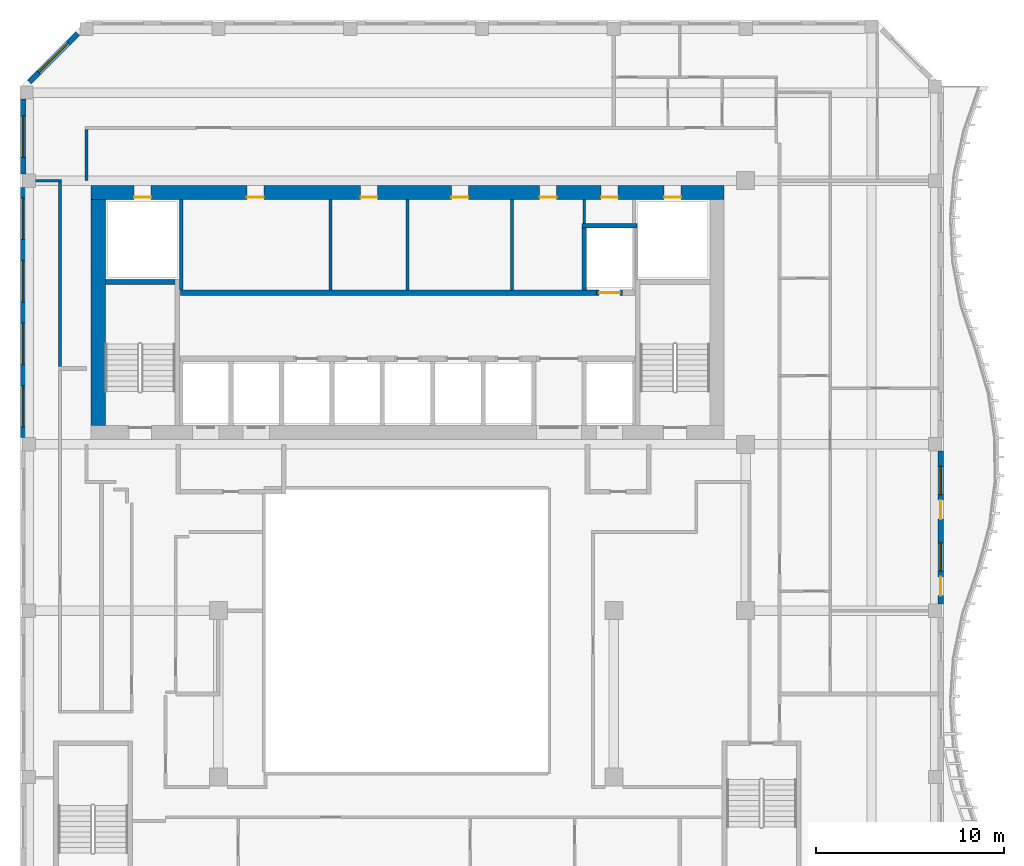
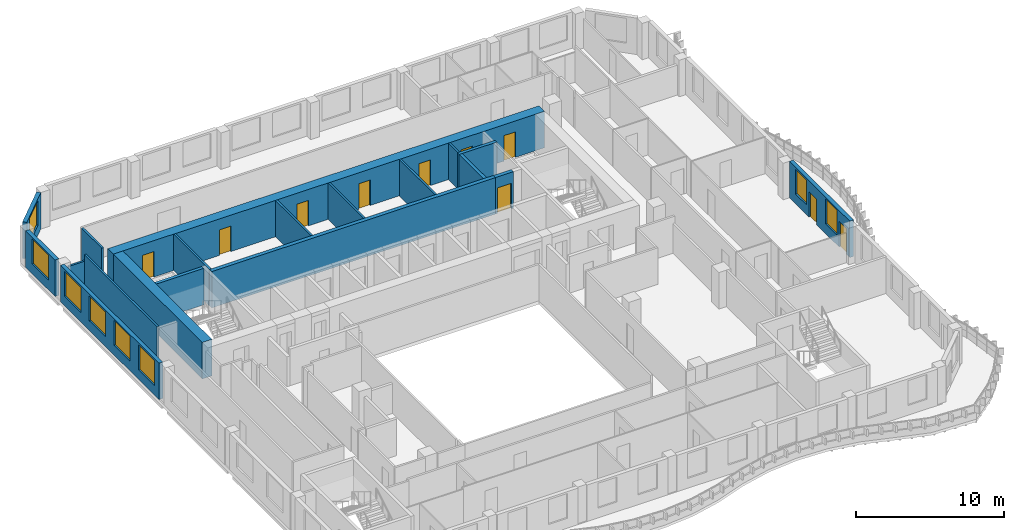
# One storey, part 6 of 13: 19 walls, 10 doors, 8 windows, 18 openings.
"""IFC4 building model written with IfcOpenShell, lengths in metres."""

from ifc_helpers import new_model, si_unit, direction, frame, frame_2d, origin, place, context, subcontext, project, spatial, rectangle, extrude, source, transform, mapped, material, layer, layer_set, type_object, element, fill, save


model = new_model("IFC4")

# Units and contexts
model_context = context("Model", 3, precision=1e-05, world=origin(), true_north=direction((0.0, 1.0)))
body_context = subcontext(model_context, "Body", "Model", "MODEL_VIEW")
ifc_project = project(units=[si_unit("LENGTHUNIT", "METRE"), si_unit("AREAUNIT", "SQUARE_METRE"), si_unit("VOLUMEUNIT", "CUBIC_METRE"), si_unit("PLANEANGLEUNIT", "RADIAN"), si_unit("MASSUNIT", "GRAM", prefix="KILO")], contexts=[model_context])

# Site, building, storey
site_placement = place(None, origin())
site = spatial("IfcSite", under=ifc_project, at=site_placement, CompositionType="ELEMENT")
building_placement = place(site_placement, origin())
building = spatial("IfcBuilding", under=site, at=building_placement, Name="Kilnfold Tower and Market Hall", CompositionType="ELEMENT")
storey_placement = place(building_placement, frame((0.0, 0.0, 259.39990234375)))
storey = spatial("IfcBuildingStorey", under=building, at=storey_placement, Name="L63", CompositionType="ELEMENT", Elevation=259.39990234375)

# Walls
ifc_material_1 = material(Name="Gypsum board on steel studs", Category="steel")
ifc_layer_1 = layer(ifc_material_1, 0.14990234375)
ifc_layer_set_1 = layer_set([ifc_layer_1], Name="Gypsum board on steel studs")
wall_type_1 = type_object("IfcWallType", Name="WALL CORRIDOR 150", PredefinedType="PARTITIONING", material=ifc_layer_set_1)
wall_1_placement = place(storey_placement, frame((-16.0, 22.0, 0.0), z_axis=(0.0, 0.0, 1.0), x_axis=(0.0, 1.0, 0.0)))
element("IfcWall", 1, at=wall_1_placement, inside=storey, type_object=wall_type_1, Name="Partition LY39.5", PredefinedType="PARTITIONING", context=body_context, shape_type="SweptSolid", body=[
    extrude(rectangle(XDim=2.72509765625, YDim=0.14990234375, at=frame_2d((1.362548828125, 0.0))), origin(), (0.0, 0.0, 1.0), 3.0),
])
wall_2_placement = place(storey_placement, frame((-17.324951171875, 22.0, 0.0), z_axis=(0.0, 0.0, 1.0), x_axis=(-1.0, 0.0, 0.0)))
element("IfcWall", 2, at=wall_2_placement, inside=storey, type_object=wall_type_1, Name="Partition LY39.7", PredefinedType="PARTITIONING", context=body_context, shape_type="SweptSolid", body=[
    extrude(rectangle(XDim=1.375, YDim=0.14990234375, at=frame_2d((0.6875, 0.0))), origin(), (0.0, 0.0, 1.0), 2.4501953125),
])
wall_3_placement = place(storey_placement, frame((-17.39990234375, 12.115966796875, 0.0), z_axis=(0.0, 0.0, 1.0), x_axis=(0.0, 1.0, 0.0)))
element("IfcWall", 3, at=wall_3_placement, inside=storey, type_object=wall_type_1, Name="Partition LY39.8", PredefinedType="PARTITIONING", context=body_context, shape_type="SweptSolid", body=[
    extrude(rectangle(XDim=9.80908203125, YDim=0.14990234375, at=frame_2d((4.904541015625, 0.0))), origin(), (0.0, 0.0, 1.0), 3.0),
])
ifc_material_2 = material(Name="Concrete C60", Category="concrete")
ifc_layer_2 = layer(ifc_material_2, 0.25)
ifc_layer_set_2 = layer_set([ifc_layer_2], Name="Concrete C60")
wall_type_2 = type_object("IfcWallType", Name="CORE WALL 250 C60", PredefinedType="SHEAR", material=ifc_layer_set_2)
shared_shape_1 = source(origin(), body_context, "Body", "SweptSolid", [
    extrude(rectangle(XDim=3.699951171875, YDim=0.25, at=frame_2d((1.85009765625, 0.0))), origin(), (0.0, 0.0, 1.0), 3.0),
])
wall_4_placement = place(storey_placement, frame((-15.0, 16.625, 0.0), z_axis=(0.0, 0.0, 1.0), x_axis=(1.0, 0.0, 0.0)))
element("IfcWall", 4, at=wall_4_placement, inside=storey, type_object=wall_type_2, Name="Stair enclosure ST1", PredefinedType="SHEAR", context=body_context, shape_type="MappedRepresentation", body=[
    mapped(shared_shape_1, transform((0.0, 0.0, 0.0))),
])

# Wall, openings, doors
ifc_material_3 = material(Name="Concrete C60", Category="concrete")
ifc_layer_3 = layer(ifc_material_3, 0.75)
ifc_layer_set_3 = layer_set([ifc_layer_3], Name="Concrete C60")
wall_type_3 = type_object("IfcWallType", Name="CORE WALL 750 C60", PredefinedType="SHEAR", material=ifc_layer_set_3)
shared_shape_2 = source(origin(), body_context, "Body", "SweptSolid", [
    extrude(rectangle(XDim=33.60009765625, YDim=0.75, at=frame_2d((16.800048828125, 0.0))), origin(), (0.0, 0.0, 1.0), 3.0),
])
wall_5_placement = place(storey_placement, frame((-15.75, 21.375, 0.0), z_axis=(0.0, 0.0, 1.0), x_axis=(1.0, 0.0, 0.0)))
wall_5 = element("IfcWall", 5, at=wall_5_placement, inside=storey, type_object=wall_type_3, Name="Core outer wall north", PredefinedType="SHEAR", context=body_context, shape_type="MappedRepresentation", body=[
    mapped(shared_shape_2, transform((0.0, 0.0, 0.0))),
])
opening_1_placement = place(wall_5_placement, frame((8.269775390625, 0.0, 0.0)))
opening_1 = element("IfcOpeningElement", 6, at=opening_1_placement, cuts=wall_5, Name="Opening KD1", PredefinedType="OPENING", context=body_context, shape_type="SweptSolid", body=[
    extrude(rectangle(XDim=0.89990234375, YDim=2.10009765625, at=frame_2d((0.449951171875, 1.050048828125))), frame((0.0, 0.385009765625, 0.0), z_axis=(0.0, -1.0, 0.0), x_axis=(1.0, 0.0, 0.0)), (0.0, 0.0, 1.0), 0.77001953125),
])
opening_2_placement = place(wall_5_placement, frame((14.2998046875, 0.0, 0.0)))
opening_2 = element("IfcOpeningElement", 7, at=opening_2_placement, cuts=wall_5, Name="Opening KD1", PredefinedType="OPENING", context=body_context, shape_type="SweptSolid", body=[
    extrude(rectangle(XDim=0.89990234375, YDim=2.10009765625, at=frame_2d((0.449951171875, 1.050048828125))), frame((0.0, 0.385009765625, 0.0), z_axis=(0.0, -1.0, 0.0), x_axis=(1.0, 0.0, 0.0)), (0.0, 0.0, 1.0), 0.77001953125),
])
opening_3_placement = place(wall_5_placement, frame((19.123779296875, 0.0, 0.0)))
opening_3 = element("IfcOpeningElement", 8, at=opening_3_placement, cuts=wall_5, Name="Opening KD1", PredefinedType="OPENING", context=body_context, shape_type="SweptSolid", body=[
    extrude(rectangle(XDim=0.89990234375, YDim=2.10009765625, at=frame_2d((0.449951171875, 1.050048828125))), frame((0.0, 0.385009765625, 0.0), z_axis=(0.0, -1.0, 0.0), x_axis=(1.0, 0.0, 0.0)), (0.0, 0.0, 1.0), 0.77001953125),
])
opening_4_placement = place(wall_5_placement, frame((23.813720703125, 0.0, 0.0)))
opening_4 = element("IfcOpeningElement", 9, at=opening_4_placement, cuts=wall_5, Name="Opening KD1", PredefinedType="OPENING", context=body_context, shape_type="SweptSolid", body=[
    extrude(rectangle(XDim=0.89990234375, YDim=2.10009765625, at=frame_2d((0.449951171875, 1.050048828125))), frame((0.0, 0.385009765625, 0.0), z_axis=(0.0, -1.0, 0.0), x_axis=(1.0, 0.0, 0.0)), (0.0, 0.0, 1.0), 0.77001953125),
])
opening_5_placement = place(wall_5_placement, frame((27.070068359375, 0.0, 0.0)))
opening_5 = element("IfcOpeningElement", 10, at=opening_5_placement, cuts=wall_5, Name="Opening KD1", PredefinedType="OPENING", context=body_context, shape_type="SweptSolid", body=[
    extrude(rectangle(XDim=0.89990234375, YDim=2.10009765625, at=frame_2d((0.449951171875, 1.050048828125))), frame((0.0, 0.385009765625, 0.0), z_axis=(0.0, -1.0, 0.0), x_axis=(1.0, 0.0, 0.0)), (0.0, 0.0, 1.0), 0.77001953125),
])
opening_6_placement = place(wall_5_placement, frame((2.27490234375, 0.0, 0.0)))
opening_6 = element("IfcOpeningElement", 11, at=opening_6_placement, cuts=wall_5, Name="Opening KD1", PredefinedType="OPENING", context=body_context, shape_type="SweptSolid", body=[
    extrude(rectangle(XDim=0.89990234375, YDim=2.10009765625, at=frame_2d((0.449951171875, 1.050048828125))), frame((0.0, 0.385009765625, 0.0), z_axis=(0.0, -1.0, 0.0), x_axis=(1.0, 0.0, 0.0)), (0.0, 0.0, 1.0), 0.77001953125),
])
opening_7_placement = place(wall_5_placement, frame((30.425048828125, 0.0, 0.0)))
opening_7 = element("IfcOpeningElement", 12, at=opening_7_placement, cuts=wall_5, Name="Opening KD1", PredefinedType="OPENING", context=body_context, shape_type="SweptSolid", body=[
    extrude(rectangle(XDim=0.89990234375, YDim=2.10009765625, at=frame_2d((0.449951171875, 1.050048828125))), frame((0.0, 0.385009765625, 0.0), z_axis=(0.0, -1.0, 0.0), x_axis=(1.0, 0.0, 0.0)), (0.0, 0.0, 1.0), 0.77001953125),
])
ifc_material_4 = material(Name="Steel door set with fire-resisting leaf", Category="steel")
door_type_1 = type_object("IfcDoorType", Name="SERVICE DOOR 900X2100", OperationType="NOTDEFINED", PredefinedType="DOOR", material=ifc_material_4)
door_1_placement = place(opening_1_placement, origin())
door_1 = element("IfcDoor", 13, at=door_1_placement, inside=storey, type_object=door_type_1, Name="Core service door", OperationType="SINGLE_SWING_RIGHT", OverallHeight=2.10009765625, OverallWidth=0.89990234375, PredefinedType="DOOR", context=body_context, shape_type="SweptSolid", body=[
    extrude(rectangle(XDim=0.89990234375, YDim=2.10009765625, at=frame_2d((0.449951171875, 1.050048828125))), frame((0.0, -0.22998046875, 0.0), z_axis=(0.0, -1.0, 0.0), x_axis=(1.0, 0.0, 0.0)), (0.0, 0.0, 1.0), 0.050048828125),
])
fill(opening_1, door_1)
door_2_placement = place(opening_2_placement, origin())
door_2 = element("IfcDoor", 14, at=door_2_placement, inside=storey, type_object=door_type_1, Name="Core service door", OperationType="SINGLE_SWING_LEFT", OverallHeight=2.10009765625, OverallWidth=0.89990234375, PredefinedType="DOOR", context=body_context, shape_type="SweptSolid", body=[
    extrude(rectangle(XDim=0.89990234375, YDim=2.10009765625, at=frame_2d((0.449951171875, 1.050048828125))), frame((0.0, -0.22998046875, 0.0), z_axis=(0.0, -1.0, 0.0), x_axis=(1.0, 0.0, 0.0)), (0.0, 0.0, 1.0), 0.050048828125),
])
fill(opening_2, door_2)
door_3_placement = place(opening_3_placement, origin())
door_3 = element("IfcDoor", 15, at=door_3_placement, inside=storey, type_object=door_type_1, Name="Core service door", OperationType="SINGLE_SWING_RIGHT", OverallHeight=2.10009765625, OverallWidth=0.89990234375, PredefinedType="DOOR", context=body_context, shape_type="SweptSolid", body=[
    extrude(rectangle(XDim=0.89990234375, YDim=2.10009765625, at=frame_2d((0.449951171875, 1.050048828125))), frame((0.0, -0.22998046875, 0.0), z_axis=(0.0, -1.0, 0.0), x_axis=(1.0, 0.0, 0.0)), (0.0, 0.0, 1.0), 0.050048828125),
])
fill(opening_3, door_3)
door_4_placement = place(opening_4_placement, origin())
door_4 = element("IfcDoor", 16, at=door_4_placement, inside=storey, type_object=door_type_1, Name="Core service door", OperationType="SINGLE_SWING_LEFT", OverallHeight=2.10009765625, OverallWidth=0.89990234375, PredefinedType="DOOR", context=body_context, shape_type="SweptSolid", body=[
    extrude(rectangle(XDim=0.89990234375, YDim=2.10009765625, at=frame_2d((0.449951171875, 1.050048828125))), frame((0.0, -0.22998046875, 0.0), z_axis=(0.0, -1.0, 0.0), x_axis=(1.0, 0.0, 0.0)), (0.0, 0.0, 1.0), 0.050048828125),
])
fill(opening_4, door_4)
door_5_placement = place(opening_5_placement, origin())
door_5 = element("IfcDoor", 17, at=door_5_placement, inside=storey, type_object=door_type_1, Name="Core service door", OperationType="SINGLE_SWING_RIGHT", OverallHeight=2.10009765625, OverallWidth=0.89990234375, PredefinedType="DOOR", context=body_context, shape_type="SweptSolid", body=[
    extrude(rectangle(XDim=0.89990234375, YDim=2.10009765625, at=frame_2d((0.449951171875, 1.050048828125))), frame((0.0, -0.22998046875, 0.0), z_axis=(0.0, -1.0, 0.0), x_axis=(1.0, 0.0, 0.0)), (0.0, 0.0, 1.0), 0.050048828125),
])
fill(opening_5, door_5)
door_6_placement = place(opening_6_placement, origin())
door_6 = element("IfcDoor", 18, at=door_6_placement, inside=storey, type_object=door_type_1, Name="Electrical riser access door", OperationType="SINGLE_SWING_LEFT", OverallHeight=2.10009765625, OverallWidth=0.89990234375, PredefinedType="DOOR", context=body_context, shape_type="SweptSolid", body=[
    extrude(rectangle(XDim=0.89990234375, YDim=2.10009765625, at=frame_2d((0.449951171875, 1.050048828125))), frame((0.0, -0.22998046875, 0.0), z_axis=(0.0, -1.0, 0.0), x_axis=(1.0, 0.0, 0.0)), (0.0, 0.0, 1.0), 0.050048828125),
])
fill(opening_6, door_6)
door_7_placement = place(opening_7_placement, origin())
door_7 = element("IfcDoor", 19, at=door_7_placement, inside=storey, type_object=door_type_1, Name="Mechanical riser access door", OperationType="SINGLE_SWING_RIGHT", OverallHeight=2.10009765625, OverallWidth=0.89990234375, PredefinedType="DOOR", context=body_context, shape_type="SweptSolid", body=[
    extrude(rectangle(XDim=0.89990234375, YDim=2.10009765625, at=frame_2d((0.449951171875, 1.050048828125))), frame((0.0, -0.22998046875, 0.0), z_axis=(0.0, -1.0, 0.0), x_axis=(1.0, 0.0, 0.0)), (0.0, 0.0, 1.0), 0.050048828125),
])
fill(opening_7, door_7)

# Walls
shared_shape_3 = source(origin(), body_context, "Body", "SweptSolid", [
    extrude(rectangle(XDim=12.0, YDim=0.75, at=frame_2d((6.0, 0.0))), origin(), (0.0, 0.0, 1.0), 3.0),
])
wall_6_placement = place(storey_placement, frame((-15.375, 9.0, 0.0), z_axis=(0.0, 0.0, 1.0), x_axis=(0.0, 1.0, 0.0)))
element("IfcWall", 20, at=wall_6_placement, inside=storey, type_object=wall_type_3, Name="Core outer wall west", PredefinedType="SHEAR", context=body_context, shape_type="MappedRepresentation", body=[
    mapped(shared_shape_3, transform((0.0, 0.0, 0.0))),
])
ifc_material_5 = material(Name="Concrete C60", Category="concrete")
ifc_layer_4 = layer(ifc_material_5, 0.300048828125)
ifc_layer_set_4 = layer_set([ifc_layer_4], Name="Concrete C60")
wall_type_4 = type_object("IfcWallType", Name="CORE WALL 300 C60", PredefinedType="SHEAR", material=ifc_layer_set_4)
shared_shape_4 = source(origin(), body_context, "Body", "SweptSolid", [
    extrude(rectangle(XDim=22.080078125, YDim=0.300048828125, at=frame_2d((11.0400390625, 0.0))), origin(), (0.0, 0.0, 1.0), 3.0),
])
wall_7_placement = place(storey_placement, frame((-11.010009765625, 16.050048828125, 0.0), z_axis=(0.0, 0.0, 1.0), x_axis=(1.0, 0.0, 0.0)))
element("IfcWall", 21, at=wall_7_placement, inside=storey, type_object=wall_type_4, Name="Core spine wall", PredefinedType="SHEAR", context=body_context, shape_type="MappedRepresentation", body=[
    mapped(shared_shape_4, transform((0.0, 0.0, 0.0))),
])

# Wall, opening, window
ifc_material_6 = material(Name="Precast concrete C50/60", Category="concrete")
ifc_layer_5 = layer(ifc_material_6, 0.300048828125)
ifc_layer_set_5 = layer_set([ifc_layer_5], Name="Precast concrete C50/60")
wall_type_5 = type_object("IfcWallType", Name="PRECAST WALL 300", PredefinedType="SOLIDWALL", material=ifc_layer_set_5)
shared_shape_5 = source(origin(), body_context, "Body", "SweptSolid", [
    extrude(rectangle(XDim=3.6416015625, YDim=0.300048828125, at=frame_2d((1.82080078125, 0.0))), origin(), (0.0, 0.0, 1.0), 3.0),
])
wall_8_placement = place(storey_placement, frame((-16.468994140625, 29.81884765625, 0.0), z_axis=(0.0, 0.0, 1.0), x_axis=(-0.707106781187, -0.707106781187, 0.0)))
wall_8 = element("IfcWall", 22, at=wall_8_placement, inside=storey, type_object=wall_type_5, Name="External wall L63 NW", PredefinedType="SOLIDWALL", context=body_context, shape_type="MappedRepresentation", body=[
    mapped(shared_shape_5, transform((0.0, 0.0, 0.0))),
])
opening_8_placement = place(wall_8_placement, frame((0.720703125, 0.0, 0.800048828125)))
opening_8 = element("IfcOpeningElement", 23, at=opening_8_placement, cuts=wall_8, Name="Opening W3", PredefinedType="OPENING", context=body_context, shape_type="SweptSolid", body=[
    extrude(rectangle(XDim=2.199951171875, YDim=2.050048828125, at=frame_2d((1.10009765625, 1.02490234375))), frame((0.0, 0.16015625, 0.0), z_axis=(0.0, -1.0, 0.0), x_axis=(1.0, 0.0, 0.0)), (0.0, 0.0, 1.0), 0.320068359375),
])
ifc_material_7 = material(Name="Aluminium frame and double glazing", Category="aluminium")
window_type_1 = type_object("IfcWindowType", Name="WINDOW W3 2200X2050", PartitioningType="SINGLE_PANEL", PredefinedType="WINDOW", material=ifc_material_7)
window_1_placement = place(opening_8_placement, origin())
window_1 = element("IfcWindow", 24, at=window_1_placement, inside=storey, type_object=window_type_1, Name="Window W3 L63 NW-1", OverallHeight=2.050048828125, OverallWidth=2.199951171875, PartitioningType="SINGLE_PANEL", PredefinedType="WINDOW", context=body_context, shape_type="SweptSolid", body=[
    extrude(rectangle(XDim=2.199951171875, YDim=2.050048828125, at=frame_2d((1.10009765625, 1.02490234375))), frame((0.0, 0.030029296875, 0.0), z_axis=(0.0, -1.0, 0.0), x_axis=(1.0, 0.0, 0.0)), (0.0, 0.0, 1.0), 0.06005859375),
])
fill(opening_8, window_1)

# Wall, openings, doors, windows
shared_shape_6 = source(origin(), body_context, "Body", "SweptSolid", [
    extrude(rectangle(XDim=8.13330078125, YDim=0.300048828125, at=frame_2d((4.066650390625, 0.0))), origin(), (0.0, 0.0, 1.0), 3.0),
])
wall_9_placement = place(storey_placement, frame((29.35009765625, -0.4833984375, 0.0), z_axis=(0.0, 0.0, 1.0), x_axis=(0.0, 1.0, 0.0)))
wall_9 = element("IfcWall", 25, at=wall_9_placement, inside=storey, type_object=wall_type_5, Name="External wall L63 E", PredefinedType="SOLIDWALL", context=body_context, shape_type="MappedRepresentation", body=[
    mapped(shared_shape_6, transform((0.0, 0.0, 0.0))),
])
opening_9_placement = place(wall_9_placement, frame((1.75, 0.0, 0.800048828125)))
opening_9 = element("IfcOpeningElement", 26, at=opening_9_placement, cuts=wall_9, Name="Opening W5", PredefinedType="OPENING", context=body_context, shape_type="SweptSolid", body=[
    extrude(rectangle(XDim=1.5, YDim=2.050048828125, at=frame_2d((0.75, 1.02490234375))), frame((0.0, 0.16015625, 0.0), z_axis=(0.0, -1.0, 0.0), x_axis=(1.0, 0.0, 0.0)), (0.0, 0.0, 1.0), 0.320068359375),
])
opening_10_placement = place(wall_9_placement, frame((0.449951171875, 0.0, 0.0)))
opening_10 = element("IfcOpeningElement", 27, at=opening_10_placement, cuts=wall_9, Name="Opening BD1", PredefinedType="OPENING", context=body_context, shape_type="SweptSolid", body=[
    extrude(rectangle(XDim=1.0, YDim=2.10009765625, at=frame_2d((0.5, 1.050048828125))), frame((0.0, 0.16015625, 0.0), z_axis=(0.0, -1.0, 0.0), x_axis=(1.0, 0.0, 0.0)), (0.0, 0.0, 1.0), 0.320068359375),
])
opening_11_placement = place(wall_9_placement, frame((5.816650390625, 0.0, 0.800048828125)))
opening_11 = element("IfcOpeningElement", 28, at=opening_11_placement, cuts=wall_9, Name="Opening W5", PredefinedType="OPENING", context=body_context, shape_type="SweptSolid", body=[
    extrude(rectangle(XDim=1.5, YDim=2.050048828125, at=frame_2d((0.75, 1.02490234375))), frame((0.0, 0.16015625, 0.0), z_axis=(0.0, -1.0, 0.0), x_axis=(1.0, 0.0, 0.0)), (0.0, 0.0, 1.0), 0.320068359375),
])
opening_12_placement = place(wall_9_placement, frame((4.5166015625, 0.0, 0.0)))
opening_12 = element("IfcOpeningElement", 29, at=opening_12_placement, cuts=wall_9, Name="Opening BD1", PredefinedType="OPENING", context=body_context, shape_type="SweptSolid", body=[
    extrude(rectangle(XDim=1.0, YDim=2.10009765625, at=frame_2d((0.5, 1.050048828125))), frame((0.0, 0.16015625, 0.0), z_axis=(0.0, -1.0, 0.0), x_axis=(1.0, 0.0, 0.0)), (0.0, 0.0, 1.0), 0.320068359375),
])
ifc_material_8 = material(Name="Aluminium frame and double glazing", Category="aluminium")
door_type_2 = type_object("IfcDoorType", Name="BALCONY DOOR 1000X2100", OperationType="NOTDEFINED", PredefinedType="DOOR", material=ifc_material_8)
door_8_placement = place(opening_10_placement, origin())
door_8 = element("IfcDoor", 30, at=door_8_placement, inside=storey, type_object=door_type_2, Name="Balcony door BD1 L63 E-1", OperationType="SINGLE_SWING_LEFT", OverallHeight=2.10009765625, OverallWidth=1.0, PredefinedType="DOOR", context=body_context, shape_type="SweptSolid", body=[
    extrude(rectangle(XDim=1.0, YDim=2.10009765625, at=frame_2d((0.5, 1.050048828125))), frame((0.0, 0.02490234375, 0.0), z_axis=(0.0, -1.0, 0.0), x_axis=(1.0, 0.0, 0.0)), (0.0, 0.0, 1.0), 0.050048828125),
])
fill(opening_10, door_8)
door_9_placement = place(opening_12_placement, origin())
door_9 = element("IfcDoor", 31, at=door_9_placement, inside=storey, type_object=door_type_2, Name="Balcony door BD1 L63 E-2", OperationType="SINGLE_SWING_RIGHT", OverallHeight=2.10009765625, OverallWidth=1.0, PredefinedType="DOOR", context=body_context, shape_type="SweptSolid", body=[
    extrude(rectangle(XDim=1.0, YDim=2.10009765625, at=frame_2d((0.5, 1.050048828125))), frame((0.0, 0.02490234375, 0.0), z_axis=(0.0, -1.0, 0.0), x_axis=(1.0, 0.0, 0.0)), (0.0, 0.0, 1.0), 0.050048828125),
])
fill(opening_12, door_9)
ifc_material_9 = material(Name="Aluminium frame and double glazing", Category="aluminium")
window_type_2 = type_object("IfcWindowType", Name="WINDOW W5 1500X2050", PartitioningType="SINGLE_PANEL", PredefinedType="WINDOW", material=ifc_material_9)
window_2_placement = place(opening_9_placement, origin())
window_2 = element("IfcWindow", 32, at=window_2_placement, inside=storey, type_object=window_type_2, Name="Window W5 L63 E-1", OverallHeight=2.050048828125, OverallWidth=1.5, PartitioningType="SINGLE_PANEL", PredefinedType="WINDOW", context=body_context, shape_type="SweptSolid", body=[
    extrude(rectangle(XDim=1.5, YDim=2.050048828125, at=frame_2d((0.75, 1.02490234375))), frame((0.0, 0.030029296875, 0.0), z_axis=(0.0, -1.0, 0.0), x_axis=(1.0, 0.0, 0.0)), (0.0, 0.0, 1.0), 0.06005859375),
])
fill(opening_9, window_2)
window_3_placement = place(opening_11_placement, origin())
window_3 = element("IfcWindow", 33, at=window_3_placement, inside=storey, type_object=window_type_2, Name="Window W5 L63 E-2", OverallHeight=2.050048828125, OverallWidth=1.5, PartitioningType="SINGLE_PANEL", PredefinedType="WINDOW", context=body_context, shape_type="SweptSolid", body=[
    extrude(rectangle(XDim=1.5, YDim=2.050048828125, at=frame_2d((0.75, 1.02490234375))), frame((0.0, 0.030029296875, 0.0), z_axis=(0.0, -1.0, 0.0), x_axis=(1.0, 0.0, 0.0)), (0.0, 0.0, 1.0), 0.06005859375),
])
fill(opening_11, window_3)

# Wall, openings, windows
shared_shape_7 = source(origin(), body_context, "Body", "SweptSolid", [
    extrude(rectangle(XDim=13.2998046875, YDim=0.300048828125, at=frame_2d((6.64990234375, 0.0))), origin(), (0.0, 0.0, 1.0), 3.0),
])
wall_10_placement = place(storey_placement, frame((-19.35009765625, 21.64990234375, 0.0), z_axis=(0.0, 0.0, 1.0), x_axis=(0.0, -1.0, 0.0)))
wall_10 = element("IfcWall", 34, at=wall_10_placement, inside=storey, type_object=wall_type_5, Name="External wall L63 W", PredefinedType="SOLIDWALL", context=body_context, shape_type="MappedRepresentation", body=[
    mapped(shared_shape_7, transform((0.0, 0.0, 0.0))),
])
opening_13_placement = place(wall_10_placement, frame((0.5625, 0.0, 0.800048828125)))
opening_13 = element("IfcOpeningElement", 35, at=opening_13_placement, cuts=wall_10, Name="Opening W3", PredefinedType="OPENING", context=body_context, shape_type="SweptSolid", body=[
    extrude(rectangle(XDim=2.199951171875, YDim=2.050048828125, at=frame_2d((1.10009765625, 1.02490234375))), frame((0.0, 0.16015625, 0.0), z_axis=(0.0, -1.0, 0.0), x_axis=(1.0, 0.0, 0.0)), (0.0, 0.0, 1.0), 0.320068359375),
])
opening_14_placement = place(wall_10_placement, frame((3.887451171875, 0.0, 0.800048828125)))
opening_14 = element("IfcOpeningElement", 36, at=opening_14_placement, cuts=wall_10, Name="Opening W3", PredefinedType="OPENING", context=body_context, shape_type="SweptSolid", body=[
    extrude(rectangle(XDim=2.199951171875, YDim=2.050048828125, at=frame_2d((1.10009765625, 1.02490234375))), frame((0.0, 0.16015625, 0.0), z_axis=(0.0, -1.0, 0.0), x_axis=(1.0, 0.0, 0.0)), (0.0, 0.0, 1.0), 0.320068359375),
])
opening_15_placement = place(wall_10_placement, frame((7.21240234375, 0.0, 0.800048828125)))
opening_15 = element("IfcOpeningElement", 37, at=opening_15_placement, cuts=wall_10, Name="Opening W3", PredefinedType="OPENING", context=body_context, shape_type="SweptSolid", body=[
    extrude(rectangle(XDim=2.199951171875, YDim=2.050048828125, at=frame_2d((1.10009765625, 1.02490234375))), frame((0.0, 0.16015625, 0.0), z_axis=(0.0, -1.0, 0.0), x_axis=(1.0, 0.0, 0.0)), (0.0, 0.0, 1.0), 0.320068359375),
])
opening_16_placement = place(wall_10_placement, frame((10.53759765625, 0.0, 0.800048828125)))
opening_16 = element("IfcOpeningElement", 38, at=opening_16_placement, cuts=wall_10, Name="Opening W3", PredefinedType="OPENING", context=body_context, shape_type="SweptSolid", body=[
    extrude(rectangle(XDim=2.199951171875, YDim=2.050048828125, at=frame_2d((1.10009765625, 1.02490234375))), frame((0.0, 0.16015625, 0.0), z_axis=(0.0, -1.0, 0.0), x_axis=(1.0, 0.0, 0.0)), (0.0, 0.0, 1.0), 0.320068359375),
])
window_4_placement = place(opening_13_placement, origin())
window_4 = element("IfcWindow", 39, at=window_4_placement, inside=storey, type_object=window_type_1, Name="Window W3 L63 W-1", OverallHeight=2.050048828125, OverallWidth=2.199951171875, PartitioningType="SINGLE_PANEL", PredefinedType="WINDOW", context=body_context, shape_type="SweptSolid", body=[
    extrude(rectangle(XDim=2.199951171875, YDim=2.050048828125, at=frame_2d((1.10009765625, 1.02490234375))), frame((0.0, 0.030029296875, 0.0), z_axis=(0.0, -1.0, 0.0), x_axis=(1.0, 0.0, 0.0)), (0.0, 0.0, 1.0), 0.06005859375),
])
fill(opening_13, window_4)
window_5_placement = place(opening_14_placement, origin())
window_5 = element("IfcWindow", 40, at=window_5_placement, inside=storey, type_object=window_type_1, Name="Window W3 L63 W-2", OverallHeight=2.050048828125, OverallWidth=2.199951171875, PartitioningType="SINGLE_PANEL", PredefinedType="WINDOW", context=body_context, shape_type="SweptSolid", body=[
    extrude(rectangle(XDim=2.199951171875, YDim=2.050048828125, at=frame_2d((1.10009765625, 1.02490234375))), frame((0.0, 0.030029296875, 0.0), z_axis=(0.0, -1.0, 0.0), x_axis=(1.0, 0.0, 0.0)), (0.0, 0.0, 1.0), 0.06005859375),
])
fill(opening_14, window_5)
window_6_placement = place(opening_15_placement, origin())
window_6 = element("IfcWindow", 41, at=window_6_placement, inside=storey, type_object=window_type_1, Name="Window W3 L63 W-3", OverallHeight=2.050048828125, OverallWidth=2.199951171875, PartitioningType="SINGLE_PANEL", PredefinedType="WINDOW", context=body_context, shape_type="SweptSolid", body=[
    extrude(rectangle(XDim=2.199951171875, YDim=2.050048828125, at=frame_2d((1.10009765625, 1.02490234375))), frame((0.0, 0.030029296875, 0.0), z_axis=(0.0, -1.0, 0.0), x_axis=(1.0, 0.0, 0.0)), (0.0, 0.0, 1.0), 0.06005859375),
])
fill(opening_15, window_6)
window_7_placement = place(opening_16_placement, origin())
window_7 = element("IfcWindow", 42, at=window_7_placement, inside=storey, type_object=window_type_1, Name="Window W3 L63 W-4", OverallHeight=2.050048828125, OverallWidth=2.199951171875, PartitioningType="SINGLE_PANEL", PredefinedType="WINDOW", context=body_context, shape_type="SweptSolid", body=[
    extrude(rectangle(XDim=2.199951171875, YDim=2.050048828125, at=frame_2d((1.10009765625, 1.02490234375))), frame((0.0, 0.030029296875, 0.0), z_axis=(0.0, -1.0, 0.0), x_axis=(1.0, 0.0, 0.0)), (0.0, 0.0, 1.0), 0.06005859375),
])
fill(opening_16, window_7)

# Wall, opening, window
shared_shape_8 = source(origin(), body_context, "Body", "SweptSolid", [
    extrude(rectangle(XDim=3.981689453125, YDim=0.300048828125, at=frame_2d((1.99072265625, 0.0))), origin(), (0.0, 0.0, 1.0), 3.0),
])
wall_11_placement = place(storey_placement, frame((-19.35009765625, 26.331787109375, 0.0), z_axis=(0.0, 0.0, 1.0), x_axis=(0.0, -1.0, 0.0)))
wall_11 = element("IfcWall", 43, at=wall_11_placement, inside=storey, type_object=wall_type_5, Name="External wall L63 W", PredefinedType="SOLIDWALL", context=body_context, shape_type="MappedRepresentation", body=[
    mapped(shared_shape_8, transform((0.0, 0.0, 0.0))),
])
opening_17_placement = place(wall_11_placement, frame((0.890869140625, 0.0, 0.800048828125)))
opening_17 = element("IfcOpeningElement", 44, at=opening_17_placement, cuts=wall_11, Name="Opening W3", PredefinedType="OPENING", context=body_context, shape_type="SweptSolid", body=[
    extrude(rectangle(XDim=2.199951171875, YDim=2.050048828125, at=frame_2d((1.10009765625, 1.02490234375))), frame((0.0, 0.16015625, 0.0), z_axis=(0.0, -1.0, 0.0), x_axis=(1.0, 0.0, 0.0)), (0.0, 0.0, 1.0), 0.320068359375),
])
window_8_placement = place(opening_17_placement, origin())
window_8 = element("IfcWindow", 45, at=window_8_placement, inside=storey, type_object=window_type_1, Name="Window W3 L63 W-1", OverallHeight=2.050048828125, OverallWidth=2.199951171875, PartitioningType="SINGLE_PANEL", PredefinedType="WINDOW", context=body_context, shape_type="SweptSolid", body=[
    extrude(rectangle(XDim=2.199951171875, YDim=2.050048828125, at=frame_2d((1.10009765625, 1.02490234375))), frame((0.0, 0.030029296875, 0.0), z_axis=(0.0, -1.0, 0.0), x_axis=(1.0, 0.0, 0.0)), (0.0, 0.0, 1.0), 0.06005859375),
])
fill(opening_17, window_8)

# Wall, opening, door
ifc_material_10 = material(Name="Gypsum shaft wall system")
ifc_layer_6 = layer(ifc_material_10, 0.300048828125)
ifc_layer_set_6 = layer_set([ifc_layer_6], Name="Gypsum shaft wall system")
wall_type_6 = type_object("IfcWallType", Name="SHAFT WALL 300", PredefinedType="PARTITIONING", material=ifc_layer_set_6)
shared_shape_9 = source(origin(), body_context, "Body", "SweptSolid", [
    extrude(rectangle(XDim=1.39990234375, YDim=0.300048828125, at=frame_2d((0.699951171875, 0.0))), origin(), (0.0, 0.0, 1.0), 3.0),
])
wall_12_placement = place(storey_placement, frame((11.070068359375, 16.050048828125, 0.0), z_axis=(0.0, 0.0, 1.0), x_axis=(1.0, 0.0, 0.0)))
wall_12 = element("IfcWall", 46, at=wall_12_placement, inside=storey, type_object=wall_type_6, Name="Lift shaft front wall", PredefinedType="PARTITIONING", context=body_context, shape_type="MappedRepresentation", body=[
    mapped(shared_shape_9, transform((0.0, 0.0, 0.0))),
])
opening_18_placement = place(wall_12_placement, frame((0.14990234375, 0.0, 0.0)))
opening_18 = element("IfcOpeningElement", 47, at=opening_18_placement, cuts=wall_12, Name="Opening LD2", PredefinedType="OPENING", context=body_context, shape_type="SweptSolid", body=[
    extrude(rectangle(XDim=1.10009765625, YDim=2.10009765625, at=frame_2d((0.550048828125, 1.050048828125))), frame((0.0, 0.16015625, 0.0), z_axis=(0.0, -1.0, 0.0), x_axis=(1.0, 0.0, 0.0)), (0.0, 0.0, 1.0), 0.320068359375),
])
ifc_material_11 = material(Name="Steel door set with fire-resisting leaf", Category="steel")
door_type_3 = type_object("IfcDoorType", Name="LANDING DOOR 1100X2100", OperationType="NOTDEFINED", PredefinedType="DOOR", material=ifc_material_11)
door_10_placement = place(opening_18_placement, origin())
door_10 = element("IfcDoor", 48, at=door_10_placement, inside=storey, type_object=door_type_3, Name="Landing door HR6", OperationType="DOUBLE_DOOR_SLIDING", OverallHeight=2.10009765625, OverallWidth=1.10009765625, PredefinedType="DOOR", context=body_context, shape_type="SweptSolid", body=[
    extrude(rectangle(XDim=1.10009765625, YDim=2.10009765625, at=frame_2d((0.550048828125, 1.050048828125))), frame((0.0, 0.02490234375, 0.0), z_axis=(0.0, -1.0, 0.0), x_axis=(1.0, 0.0, 0.0)), (0.0, 0.0, 1.0), 0.050048828125),
])
fill(opening_18, door_10)

# Walls
ifc_material_12 = material(Name="Gypsum shaft wall system")
ifc_layer_7 = layer(ifc_material_12, 0.1650390625)
ifc_layer_set_7 = layer_set([ifc_layer_7], Name="Gypsum shaft wall system")
wall_type_7 = type_object("IfcWallType", Name="SHAFT WALL 165", PredefinedType="PARTITIONING", material=ifc_layer_set_7)
shared_shape_10 = source(origin(), body_context, "Body", "SweptSolid", [
    extrude(rectangle(XDim=4.800048828125, YDim=0.1650390625, at=frame_2d((2.39990234375, 0.0))), origin(), (0.0, 0.0, 1.0), 3.0),
])
wall_13_placement = place(storey_placement, frame((-10.967529296875, 16.199951171875, 0.0), z_axis=(0.0, 0.0, 1.0), x_axis=(0.0, 1.0, 0.0)))
element("IfcWall", 49, at=wall_13_placement, inside=storey, type_object=wall_type_7, Name="Lift shaft wall", PredefinedType="PARTITIONING", context=body_context, shape_type="MappedRepresentation", body=[
    mapped(shared_shape_10, transform((0.0, 0.0, 0.0))),
])
ifc_material_13 = material(Name="Gypsum shaft wall system")
ifc_layer_8 = layer(ifc_material_13, 0.25)
ifc_layer_set_8 = layer_set([ifc_layer_8], Name="Gypsum shaft wall system")
wall_type_8 = type_object("IfcWallType", Name="SHAFT WALL 250", PredefinedType="PARTITIONING", material=ifc_layer_set_8)
shared_shape_11 = source(origin(), body_context, "Body", "SweptSolid", [
    extrude(rectangle(XDim=3.275146484375, YDim=0.25, at=frame_2d((1.6376953125, 0.0))), origin(), (0.0, 0.0, 1.0), 3.0),
])
wall_14_placement = place(storey_placement, frame((10.429931640625, 16.199951171875, 0.0), z_axis=(0.0, 0.0, 1.0), x_axis=(0.0, 1.0, 0.0)))
element("IfcWall", 50, at=wall_14_placement, inside=storey, type_object=wall_type_8, Name="Lift shaft wall", PredefinedType="PARTITIONING", context=body_context, shape_type="MappedRepresentation", body=[
    mapped(shared_shape_11, transform((0.0, 0.0, 0.0))),
])
ifc_material_14 = material(Name="Gypsum shaft wall system")
ifc_layer_9 = layer(ifc_material_14, 0.14990234375)
ifc_layer_set_9 = layer_set([ifc_layer_9], Name="Gypsum shaft wall system")
wall_type_9 = type_object("IfcWallType", Name="ROOM WALL 150", PredefinedType="PARTITIONING", material=ifc_layer_set_9)
shared_shape_12 = source(origin(), body_context, "Body", "SweptSolid", [
    extrude(rectangle(XDim=4.800048828125, YDim=0.14990234375, at=frame_2d((2.39990234375, 0.0))), origin(), (0.0, 0.0, 1.0), 3.0),
])
for number, where, z_axis, x_axis, name in (
    (51, (-3.05029296875, 16.199951171875, 0.0), (0.0, 0.0, 1.0), (0.0, 1.0, 0.0), "Core room wall"),
    (52, (1.050048828125, 16.199951171875, 0.0), (0.0, 0.0, 1.0), (0.0, 1.0, 0.0), "Core room wall"),
    (53, (6.59765625, 16.199951171875, 0.0), (0.0, 0.0, 1.0), (0.0, 1.0, 0.0), "Core room wall"),
):
    element("IfcWall", number, at=place(storey_placement, frame(where, z_axis=z_axis, x_axis=x_axis)), inside=storey, type_object=wall_type_9, Name=name, PredefinedType="PARTITIONING", context=body_context, shape_type="MappedRepresentation", body=[
        mapped(shared_shape_12, transform((0.0, 0.0, 0.0))),
    ])
shared_shape_13 = source(origin(), body_context, "Body", "SweptSolid", [
    extrude(rectangle(XDim=1.27490234375, YDim=0.14990234375, at=frame_2d((0.637451171875, 0.0))), origin(), (0.0, 0.0, 1.0), 3.0),
])
wall_15_placement = place(storey_placement, frame((10.429931640625, 19.72509765625, 0.0), z_axis=(0.0, 0.0, 1.0), x_axis=(0.0, 1.0, 0.0)))
element("IfcWall", 54, at=wall_15_placement, inside=storey, type_object=wall_type_9, Name="Core room wall", PredefinedType="PARTITIONING", context=body_context, shape_type="MappedRepresentation", body=[
    mapped(shared_shape_13, transform((0.0, 0.0, 0.0))),
])
shared_shape_14 = source(origin(), body_context, "Body", "SweptSolid", [
    extrude(rectangle(XDim=2.93017578125, YDim=0.25, at=frame_2d((1.465087890625, 0.0))), origin(), (0.0, 0.0, 1.0), 3.0),
])
wall_16_placement = place(storey_placement, frame((10.304931640625, 19.60009765625, 0.0), z_axis=(0.0, 0.0, 1.0), x_axis=(1.0, 0.0, 0.0)))
element("IfcWall", 55, at=wall_16_placement, inside=storey, type_object=wall_type_8, Name="Lift shaft wall", PredefinedType="PARTITIONING", context=body_context, shape_type="MappedRepresentation", body=[
    mapped(shared_shape_14, transform((0.0, 0.0, 0.0))),
])

save(model, "model.ifc")
